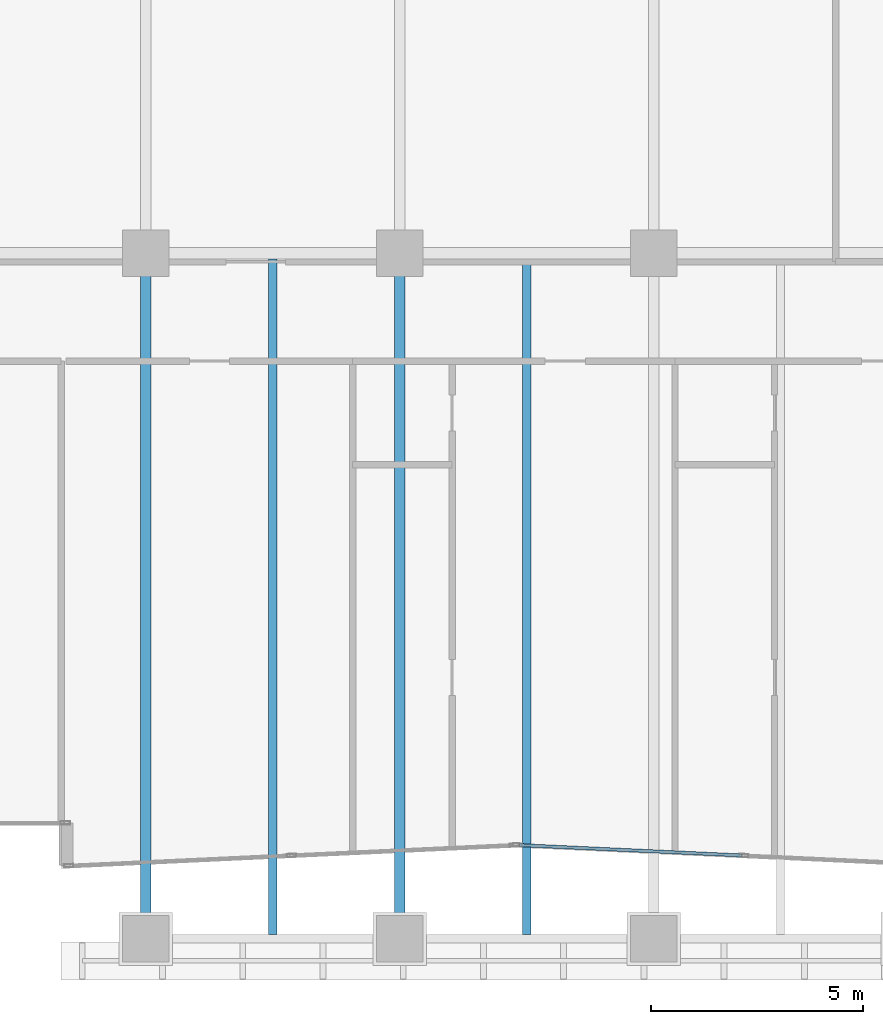
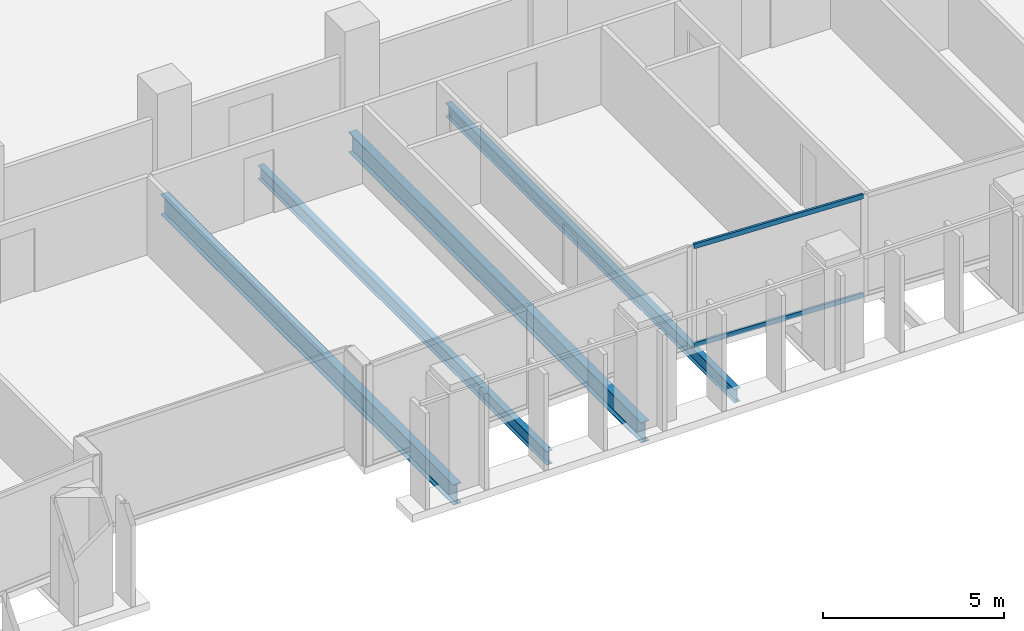
# One storey, part 6 of 32: 4 beams, 2 members, 1 element without a shape of its own.
"""IFC4 building model written with IfcOpenShell, lengths in metres."""

from ifc_helpers import new_model, si_unit, direction, frame, origin, origin_2d, place, context, subcontext, project, spatial, hollow_rectangle, i_section, extrude, material, layer, layer_set, material_profile, profile_set, type_object, element, aggregate, save


model = new_model("IFC4")

# Units and contexts
model_context = context("Model", 3, precision=1e-05, world=origin(), true_north=direction((0.0, 1.0)))
body_context = subcontext(model_context, "Body", "Model", "MODEL_VIEW")
ifc_project = project(units=[si_unit("LENGTHUNIT", "METRE"), si_unit("AREAUNIT", "SQUARE_METRE"), si_unit("VOLUMEUNIT", "CUBIC_METRE"), si_unit("PLANEANGLEUNIT", "RADIAN"), si_unit("MASSUNIT", "GRAM", prefix="KILO")], contexts=[model_context])

# Site, building, storey
site_placement = place(None, origin())
site = spatial("IfcSite", under=ifc_project, at=site_placement, CompositionType="ELEMENT")
building_placement = place(site_placement, origin())
building = spatial("IfcBuilding", under=site, at=building_placement, Name="Tanjung Sevakor Pilgrim Tower", CompositionType="ELEMENT")
storey_placement = place(building_placement, frame((0.0, 0.0, 62.3701171875)))
storey = spatial("IfcBuildingStorey", under=building, at=storey_placement, Name="L17", CompositionType="ELEMENT", Elevation=62.3701171875)

# Beams
ifc_material_1 = material(Name="Steel S355J2", Category="steel")
ifc_material_profile_1 = material_profile(ifc_material_1, i_section(OverallWidth=0.25439453125, OverallDepth=0.6875, WebThickness=0.01318359375, FlangeThickness=0.02099609375, FilletRadius=0.01513671875, at=origin_2d()))
ifc_profile_set_1 = profile_set([ifc_material_profile_1], Name="Steel S355J2")
beam_type_1 = type_object("IfcBeamType", Name="BM-B-G2-UB_686x254x152", PredefinedType="BEAM", material=ifc_profile_set_1)
for number, where, z_axis, x_axis, name in (
    (1, (54.0, 8.39990234375, -0.56396484375), (0.0, 1.0, 0.0), (-1.0, 0.0, 0.0), "L17 MAIN Girder 017"),
    (2, (60.0, 8.39990234375, -0.56396484375), (0.0, 1.0, 0.0), (-1.0, 0.0, 0.0), "L17 MAIN Girder 022"),
):
    element("IfcBeam", number, at=place(storey_placement, frame(where, z_axis=z_axis, x_axis=x_axis)), inside=storey, type_object=beam_type_1, Name=name, PredefinedType="BEAM", context=body_context, shape_type="SweptSolid", body=[
        extrude(i_section(OverallWidth=0.25439453125, OverallDepth=0.6875, WebThickness=0.01318359375, FlangeThickness=0.02099609375, FilletRadius=0.01513671875, at=origin_2d()), origin(), (0.0, 0.0, 1.0), 16.2001953125),
    ])
ifc_material_2 = material(Name="Steel S355J2", Category="steel")
ifc_material_profile_2 = material_profile(ifc_material_2, i_section(OverallWidth=0.19140625, OverallDepth=0.4599609375, WebThickness=0.010009765625, FlangeThickness=0.01611328125, FilletRadius=0.01025390625, at=origin_2d()))
ifc_profile_set_2 = profile_set([ifc_material_profile_2], Name="Steel S355J2")
beam_type_2 = type_object("IfcBeamType", Name="BM-B-J2-UB_457x191x82", PredefinedType="JOIST", material=ifc_profile_set_2)
for number, where, z_axis, x_axis, name in (
    (3, (57.0, 8.5, -0.4501953125), (0.0, 1.0, 0.0), (-1.0, 0.0, 0.0), "L17 MAIN Joist 020"),
    (4, (63.0, 8.5, -0.4501953125), (0.0, 1.0, 0.0), (-1.0, 0.0, 0.0), "L17 MAIN Joist 025"),
):
    element("IfcBeam", number, at=place(storey_placement, frame(where, z_axis=z_axis, x_axis=x_axis)), inside=storey, type_object=beam_type_2, Name=name, PredefinedType="JOIST", context=body_context, shape_type="SweptSolid", body=[
        extrude(i_section(OverallWidth=0.19140625, OverallDepth=0.4599609375, WebThickness=0.010009765625, FlangeThickness=0.01611328125, FilletRadius=0.01025390625, at=origin_2d()), origin(), (0.0, 0.0, 1.0), 15.966064453125),
    ])

# Curtain wall, members
ifc_material_3 = material(Name="Aluminium 6063-T6 and Low-E Glass", Category="aluminium")
ifc_layer = layer(ifc_material_3, 0.199951171875)
ifc_layer_set = layer_set([ifc_layer], Name="CW-SYS-PRAY")
curtain_wall_type = type_object("IfcCurtainWallType", Name="CW-SYS-PRAY", PredefinedType="NOTDEFINED", material=ifc_layer_set)
curtain_wall_placement = place(storey_placement, origin())
curtain_wall = element("IfcCurtainWall", 5, at=curtain_wall_placement, inside=storey, type_object=curtain_wall_type, Name="L17 Curtain Wall CW-PRY-L17-10", PredefinedType="NOTDEFINED")
ifc_material_4 = material(Name="Aluminium 6063-T6", Category="aluminium")
ifc_material_profile_3 = material_profile(ifc_material_4, hollow_rectangle(XDim=0.074951171875, YDim=0.159912109375, WallThickness=0.00439453125, at=origin_2d()))
ifc_profile_set_3 = profile_set([ifc_material_profile_3], Name="Aluminium 6063-T6")
member_type = type_object("IfcMemberType", Name="TYPE-CWT-2", PredefinedType="USERDEFINED", material=ifc_profile_set_3)
member_1_placement = place(storey_placement, frame((62.824951171875, 10.61669921875, 0.037353515625), z_axis=(0.998920535913, -0.046451726901, 0.0), x_axis=(0.046451726901, 0.998920535913, 0.0)))
member_1 = element("IfcMember", 6, at=member_1_placement, type_object=member_type, Name="CW-PRY transom 1.1", ObjectType="TRANSOM", PredefinedType="USERDEFINED", context=body_context, shape_type="SweptSolid", body=[
    extrude(hollow_rectangle(XDim=0.074951171875, YDim=0.159912109375, WallThickness=0.00439453125, at=origin_2d()), origin(), (0.0, 0.0, 1.0), 5.271484375),
])
member_2_placement = place(storey_placement, frame((62.824951171875, 10.61669921875, 3.372314453125), z_axis=(0.998920535913, -0.046451726901, 0.0), x_axis=(0.046451726901, 0.998920535913, 0.0)))
member_2 = element("IfcMember", 7, at=member_2_placement, type_object=member_type, Name="CW-PRY transom 1.2", ObjectType="TRANSOM", PredefinedType="USERDEFINED", context=body_context, shape_type="SweptSolid", body=[
    extrude(hollow_rectangle(XDim=0.074951171875, YDim=0.159912109375, WallThickness=0.00439453125, at=origin_2d()), origin(), (0.0, 0.0, 1.0), 5.271484375),
])
aggregate(curtain_wall, [member_1, member_2])

save(model, "model.ifc")
